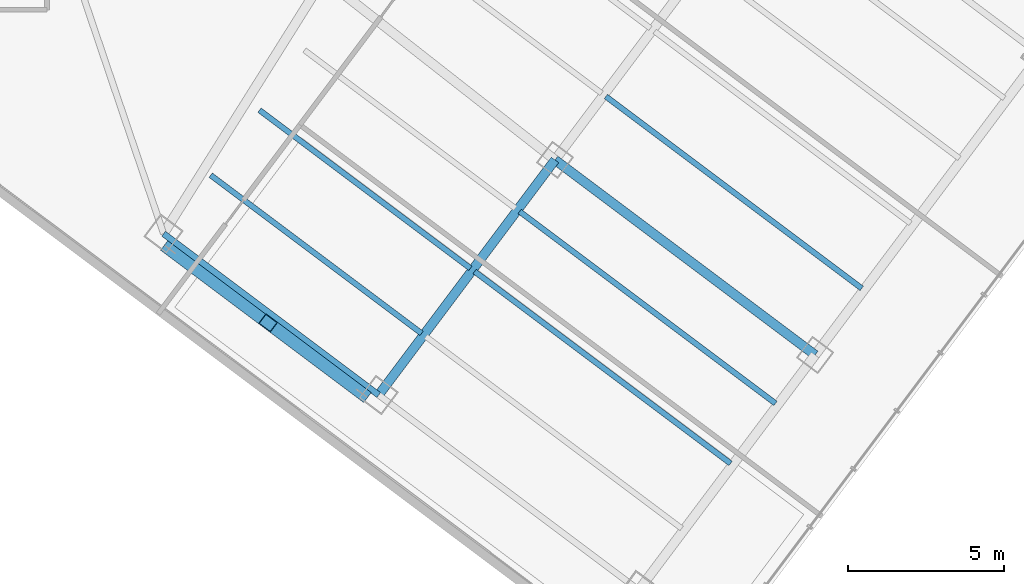
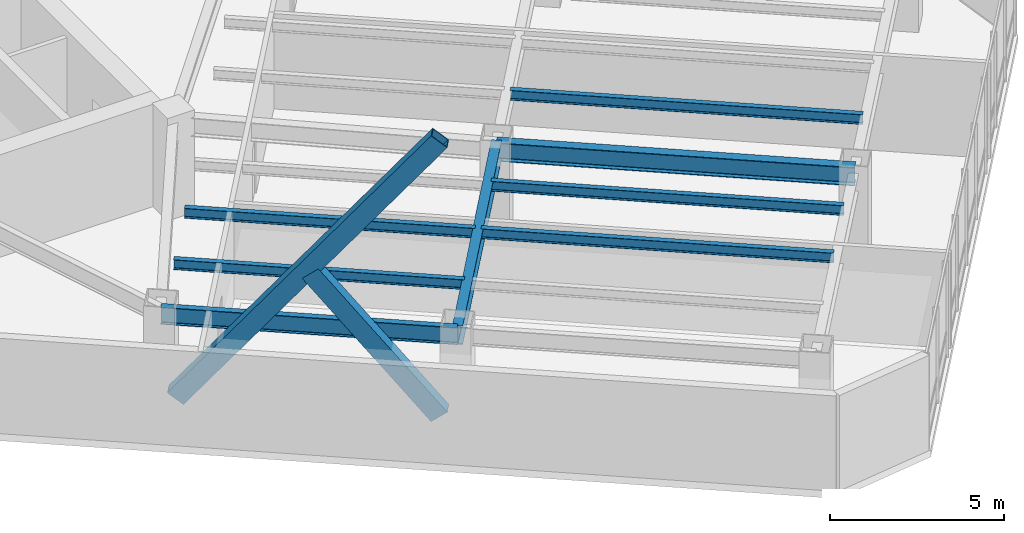
# One storey, part 7 of 29: 8 beams, 2 members.
"""IFC4 building model written with IfcOpenShell, lengths in metres."""

import ifcopenshell
import ifcopenshell.guid

model = None  # the IFC model being written
_history = None  # IfcOwnerHistory: only IFC2X3 demands one
_inside = {}  # id of a spatial element -> (the spatial element, [elements in it])
_under = {}  # id of a project, library or spatial element -> (it, [spatial elements below it])
_declared = {}  # id of a project -> (the project, [libraries it declares])
_typed = {}  # id of a type object -> (the type object, [elements of that type])
_made_of = {}  # id of a material, layer set ... -> (it, [elements and type objects made of it])


def new_model(schema):
    """Start an empty IFC model of exactly this schema.

    Asked for "IFC4X3", IfcOpenShell would pick the latest addendum, in which some entities
    have other attributes; the version numbers below select the first issue.
    IFC2X3 requires an IfcOwnerHistory on every rooted entity: one is made here for all.
    """
    global model, _history
    if schema == "IFC4X3":
        model = ifcopenshell.file(schema_version=(4, 3, 0, 0))
    else:
        model = ifcopenshell.file(schema=schema)
    _inside.clear()
    _under.clear()
    _declared.clear()
    _typed.clear()
    _made_of.clear()
    _history = None
    if model.schema == "IFC2X3":
        org = make("IfcOrganization", Name="unknown")
        user = make(
            "IfcPersonAndOrganization",
            ThePerson=make("IfcPerson", FamilyName="unknown"),
            TheOrganization=org,
        )
        app = make(
            "IfcApplication",
            ApplicationDeveloper=org,
            Version="unknown",
            ApplicationFullName="unknown",
            ApplicationIdentifier="unknown",
        )
        _history = make(
            "IfcOwnerHistory",
            OwningUser=user,
            OwningApplication=app,
            ChangeAction="ADDED",
            CreationDate=0,
        )
    return model


def make(cls, **values):
    """One entity of the class cls with the attributes given. An attribute that is None is left unset."""
    return model.create_entity(
        cls, **{name: value for name, value in values.items() if value is not None}
    )


def rooted(cls, **values):
    """An entity with a GlobalId (a new one), such as an element, a storey or a relation."""
    return make(cls, GlobalId=ifcopenshell.guid.new(), OwnerHistory=_history, **values)


def si_unit(unit_type, name, prefix=None):
    """IfcSIUnit, for example si_unit("LENGTHUNIT", "METRE", prefix="MILLI")."""
    return make("IfcSIUnit", UnitType=unit_type, Prefix=prefix, Name=name)


def assignment(units):
    """IfcUnitAssignment: the units of a project."""
    return None if units is None else make("IfcUnitAssignment", Units=units)


def point(xyz):
    """IfcCartesianPoint."""
    return None if xyz is None else make("IfcCartesianPoint", Coordinates=xyz)


def direction(xyz):
    """IfcDirection."""
    return None if xyz is None else make("IfcDirection", DirectionRatios=xyz)


def frame(location, z_axis=None, x_axis=None):
    """IfcAxis2Placement3D, a coordinate frame: its origin and axes. An axis left out is left unset."""
    return make(
        "IfcAxis2Placement3D",
        Location=point(location),
        Axis=direction(z_axis),
        RefDirection=direction(x_axis),
    )


def frame_2d(location, x_axis=None):
    """IfcAxis2Placement2D, a coordinate frame in the plane: its origin and x axis."""
    return make(
        "IfcAxis2Placement2D", Location=point(location), RefDirection=direction(x_axis)
    )


def origin():
    """The frame at (0, 0, 0) with its axes left unset."""
    return frame((0.0, 0.0, 0.0))


def origin_2d():
    """The frame at (0, 0) in the plane with its x axis left unset."""
    return frame_2d((0.0, 0.0))


def place(relative_to, where):
    """IfcLocalPlacement: puts the frame where relative to a parent placement (None: the world)."""
    return make(
        "IfcLocalPlacement", PlacementRelTo=relative_to, RelativePlacement=where
    )


def context(
    kind, dimensions, precision=None, world=None, true_north=None, identifier=None
):
    """IfcGeometricRepresentationContext, for example the 3D "Model" context."""
    return make(
        "IfcGeometricRepresentationContext",
        ContextIdentifier=identifier,
        ContextType=kind,
        CoordinateSpaceDimension=dimensions,
        Precision=precision,
        WorldCoordinateSystem=world,
        TrueNorth=true_north,
    )


def subcontext(parent, identifier, kind, view, scale=None):
    """IfcGeometricRepresentationSubContext, for example "Body" below "Model"."""
    return make(
        "IfcGeometricRepresentationSubContext",
        ContextIdentifier=identifier,
        ContextType=kind,
        ParentContext=parent,
        TargetScale=scale,
        TargetView=view,
    )


def project(units=None, contexts=None):
    """IfcProject with its units and contexts."""
    return rooted(
        "IfcProject",
        Name="project",
        RepresentationContexts=contexts,
        UnitsInContext=assignment(units),
    )


def spatial(cls, under=None, at=None, **own):
    """A site, building, storey or space (cls), placed at a placement, below another one or the project."""
    s = rooted(cls, ObjectPlacement=at, **own)
    if under is not None:
        _under.setdefault(under.id(), (under, []))[1].append(s)
    return s


def profile(cls, at=None, kind="AREA", **sizes):
    """A parametric profile (cls). Its sizes go by their IFC names, for example OverallWidth=200.0."""
    return make(cls, ProfileType=kind, Position=at, **sizes)


def hollow_rectangle(**sizes):
    """IfcRectangleHollowProfileDef."""
    return profile("IfcRectangleHollowProfileDef", **sizes)


def i_section(**sizes):
    """IfcIShapeProfileDef."""
    return profile("IfcIShapeProfileDef", **sizes)


def extrude(swept, where, along, depth):
    """IfcExtrudedAreaSolid: the profile swept, set in the frame where, extruded along a direction by depth."""
    return make(
        "IfcExtrudedAreaSolid",
        SweptArea=swept,
        Position=where,
        ExtrudedDirection=direction(along),
        Depth=depth,
    )


def shape(context_of_items, identifier, shape_type, items):
    """IfcShapeRepresentation: the items that make up one representation, for example the "Body"."""
    return make(
        "IfcShapeRepresentation",
        ContextOfItems=context_of_items,
        RepresentationIdentifier=identifier,
        RepresentationType=shape_type,
        Items=items,
    )


def material(Name=None, Category=None):
    """IfcMaterial."""
    return make("IfcMaterial", Name=Name, Category=Category)


def material_profile(
    of_material, cross_section, Name=None, Category=None, Priority=None
):
    """IfcMaterialProfile: a cross section and its material."""
    return make(
        "IfcMaterialProfile",
        Name=Name,
        Material=of_material,
        Profile=cross_section,
        Priority=Priority,
        Category=Category,
    )


def profile_set(profiles, Name=None, composite=None):
    """IfcMaterialProfileSet."""
    return make(
        "IfcMaterialProfileSet",
        Name=Name,
        MaterialProfiles=profiles,
        CompositeProfile=composite,
    )


def made_of(thing, what):
    """Note that an element or type object is made of a material, layer set ...; save() writes the relation."""
    if what is not None:
        _made_of.setdefault(what.id(), (what, []))[1].append(thing)
    return thing


def type_object(cls, material=None, **own):
    """A type object (cls), such as IfcWallType, which elements share."""
    return made_of(rooted(cls, **own), material)


def element(
    cls,
    number,
    at=None,
    inside=None,
    cuts=None,
    type_object=None,
    material=None,
    context=None,
    identifier="Body",
    shape_type=None,
    held_by="IfcProductDefinitionShape",
    body=None,
    shapes=None,
    **own,
):
    """One element of the class cls, such as IfcWall. Its Tag is "e" and its number.

    at: its placement. inside: the storey or other place that contains it. cuts: it is an
    opening in that element (IfcRelVoidsElement). A single representation is given by context,
    identifier, shape_type and body (its items); several are given by shapes. held_by: the class
    of the entity that holds the representations. save() writes the other relations.
    """
    e = rooted(cls, Tag="e%d" % number, ObjectPlacement=at, **own)
    if body is not None:
        shapes = [shape(context, identifier, shape_type, body)]
    if shapes is not None:
        e.Representation = make(held_by, Representations=shapes)
    if inside is not None:
        _inside.setdefault(inside.id(), (inside, []))[1].append(e)
    if cuts is not None:
        rooted(
            "IfcRelVoidsElement", RelatingBuildingElement=cuts, RelatedOpeningElement=e
        )
    if type_object is not None:
        _typed.setdefault(type_object.id(), (type_object, []))[1].append(e)
    return made_of(e, material)


def aggregate(whole, parts):
    """IfcRelAggregates: a whole, such as a stair, and the parts it consists of."""
    return rooted("IfcRelAggregates", RelatingObject=whole, RelatedObjects=parts)


def save(model, path):
    """Write the relations noted so far, then the file.

    IfcRelAggregates (storeys below a building ...), IfcRelContainedInSpatialStructure (elements
    in a storey), IfcRelDefinesByType, IfcRelAssociatesMaterial and IfcRelDeclares: one each for
    every whole, place, type object, material and project.
    """
    for whole, parts in _under.values():
        aggregate(whole, parts)
    for where, things in _inside.values():
        rooted(
            "IfcRelContainedInSpatialStructure",
            RelatedElements=things,
            RelatingStructure=where,
        )
    for kind, things in _typed.values():
        rooted("IfcRelDefinesByType", RelatedObjects=things, RelatingType=kind)
    for what, things in _made_of.values():
        rooted("IfcRelAssociatesMaterial", RelatedObjects=things, RelatingMaterial=what)
    for by, libraries in _declared.values():
        rooted("IfcRelDeclares", RelatingContext=by, RelatedDefinitions=libraries)
    model.write(path)


model = new_model("IFC4")

# Units and contexts
model_context = context("Model", 3, precision=1e-05, world=origin(), true_north=direction((0.0, 1.0)))
body_context = subcontext(model_context, "Body", "Model", "MODEL_VIEW")
ifc_project = project(units=[si_unit("LENGTHUNIT", "METRE"), si_unit("AREAUNIT", "SQUARE_METRE"), si_unit("VOLUMEUNIT", "CUBIC_METRE"), si_unit("PLANEANGLEUNIT", "RADIAN"), si_unit("MASSUNIT", "GRAM", prefix="KILO")], contexts=[model_context])

# Site, building, storey
site_placement = place(None, origin())
site = spatial("IfcSite", under=ifc_project, at=site_placement, CompositionType="ELEMENT")
building_placement = place(site_placement, origin())
building = spatial("IfcBuilding", under=site, at=building_placement, Name="Hatsunagi Terrace Concourse", CompositionType="ELEMENT")
storey_placement = place(building_placement, frame((0.0, 0.0, 108.449951171875)))
storey = spatial("IfcBuildingStorey", under=building, at=storey_placement, Name="L28", CompositionType="ELEMENT", Elevation=108.449951171875)

# Beams
ifc_material_1 = material(Name="Steel SN490B", Category="steel")
ifc_material_profile_1 = material_profile(ifc_material_1, i_section(OverallWidth=0.175048828125, OverallDepth=0.35009765625, WebThickness=0.007080078125, FlangeThickness=0.010986328125, FilletRadius=0.012939453125, at=origin_2d()), Name="H-350x175x7x11")
ifc_profile_set_1 = profile_set([ifc_material_profile_1], Name="Steel SN490B")
beam_type_1 = type_object("IfcBeamType", Name="HotelJoist_H_350x175", PredefinedType="JOIST", material=ifc_profile_set_1)
for number, where, z_axis, x_axis, name in (
    (1, (40.18798828125, 17.908935546875, 3.175048828125), (0.800003475366, -0.59999536615, 0.0), (0.59999536615, 0.800003475366, 0.0), "Beam J-02 J-L28-SE-2-46"),
    (2, (41.748046875, 19.989013671875, 3.175048828125), (0.799989573921, -0.600013901187, 0.0), (0.600013901187, 0.799989573921, 0.0), "Beam J-02 J-L28-SE-2-72"),
):
    element("IfcBeam", number, at=place(storey_placement, frame(where, z_axis=z_axis, x_axis=x_axis)), inside=storey, type_object=beam_type_1, Name=name, PredefinedType="JOIST", context=body_context, shape_type="SweptSolid", body=[
        extrude(i_section(OverallWidth=0.175048828125, OverallDepth=0.35009765625, WebThickness=0.007080078125, FlangeThickness=0.010986328125, FilletRadius=0.012939453125, at=origin_2d()), origin(), (0.0, 0.0, 1.0), 8.429931640625),
    ])
beam_1_placement = place(storey_placement, frame((48.6279296875, 14.8291015625, 3.175048828125), z_axis=(0.799994272423, -0.600007636694, 0.0), x_axis=(0.600007636694, 0.799994272423, 0.0)))
element("IfcBeam", 3, at=beam_1_placement, inside=storey, type_object=beam_type_1, Name="Beam J-02 J-L28-SE-3-72", PredefinedType="JOIST", context=body_context, shape_type="SweptSolid", body=[
    extrude(i_section(OverallWidth=0.175048828125, OverallDepth=0.35009765625, WebThickness=0.007080078125, FlangeThickness=0.010986328125, FilletRadius=0.012939453125, at=origin_2d()), origin(), (0.0, 0.0, 1.0), 10.230224609375),
])
beam_2_placement = place(storey_placement, frame((50.068115234375, 16.7490234375, 3.175048828125), z_axis=(0.799997136125, -0.600003818481, 0.0), x_axis=(0.600003818481, 0.799997136125, 0.0)))
element("IfcBeam", 4, at=beam_2_placement, inside=storey, type_object=beam_type_1, Name="Beam J-02 J-L28-SE-3-96", PredefinedType="JOIST", context=body_context, shape_type="SweptSolid", body=[
    extrude(i_section(OverallWidth=0.175048828125, OverallDepth=0.35009765625, WebThickness=0.007080078125, FlangeThickness=0.010986328125, FilletRadius=0.012939453125, at=origin_2d()), origin(), (0.0, 0.0, 1.0), 10.229736328125),
])
beam_3_placement = place(storey_placement, frame((52.827880859375, 20.428955078125, 3.175048828125), z_axis=(0.800005727586, -0.599992363142, 0.0), x_axis=(0.599992363142, 0.800005727586, 0.0)))
element("IfcBeam", 5, at=beam_3_placement, inside=storey, type_object=beam_type_1, Name="Beam J-02 J-L28-SE-3-142", PredefinedType="JOIST", context=body_context, shape_type="SweptSolid", body=[
    extrude(i_section(OverallWidth=0.175048828125, OverallDepth=0.35009765625, WebThickness=0.007080078125, FlangeThickness=0.010986328125, FilletRadius=0.012939453125, at=origin_2d()), origin(), (0.0, 0.0, 1.0), 10.22998046875),
])
ifc_material_2 = material(Name="Steel SN490B", Category="steel")
ifc_material_profile_2 = material_profile(ifc_material_2, i_section(OverallWidth=0.300048828125, OverallDepth=0.64990234375, WebThickness=0.012939453125, FlangeThickness=0.02197265625, FilletRadius=0.01806640625, at=origin_2d()), Name="H-650x300x13x22")
ifc_profile_set_2 = profile_set([ifc_material_profile_2], Name="Steel SN490B")
beam_type_2 = type_object("IfcBeamType", Name="OfficeLowGirder_H_650x300", PredefinedType="BEAM", material=ifc_profile_set_2)
beam_4_placement = place(storey_placement, frame((45.56005859375, 10.8798828125, 3.025146484375), z_axis=(0.599991688754, 0.800006233367, 0.0), x_axis=(-0.800006233367, 0.599991688754, 0.0)))
element("IfcBeam", 6, at=beam_4_placement, inside=storey, type_object=beam_type_2, Name="Beam G-05 BM-L28-SET-2A", PredefinedType="BEAM", context=body_context, shape_type="SweptSolid", body=[
    extrude(i_section(OverallWidth=0.300048828125, OverallDepth=0.64990234375, WebThickness=0.012939453125, FlangeThickness=0.02197265625, FilletRadius=0.01806640625, at=origin_2d()), origin(), (0.0, 0.0, 1.0), 9.39990234375),
])
beam_5_placement = place(storey_placement, frame((51.199951171875, 18.39990234375, 3.025146484375), z_axis=(0.800002816985, -0.599996244001, 0.0), x_axis=(0.599996244001, 0.800002816985, 0.0)))
element("IfcBeam", 7, at=beam_5_placement, inside=storey, type_object=beam_type_2, Name="Beam G-05 BM-L28-SE-M3", PredefinedType="BEAM", context=body_context, shape_type="SweptSolid", body=[
    extrude(i_section(OverallWidth=0.300048828125, OverallDepth=0.64990234375, WebThickness=0.012939453125, FlangeThickness=0.02197265625, FilletRadius=0.01806640625, at=origin_2d()), origin(), (0.0, 0.0, 1.0), 10.400146484375),
])
ifc_material_3 = material(Name="Steel SN490B", Category="steel")
ifc_material_profile_3 = material_profile(ifc_material_3, i_section(OverallWidth=0.199951171875, OverallDepth=0.60009765625, WebThickness=0.010986328125, FlangeThickness=0.01708984375, FilletRadius=0.01806640625, at=origin_2d()), Name="H-600x200x11x17")
ifc_profile_set_3 = profile_set([ifc_material_profile_3], Name="Steel SN490B")
beam_type_3 = type_object("IfcBeamType", Name="PerimeterSpandrel_H_600x200", PredefinedType="SPANDREL", material=ifc_profile_set_3)
beam_6_placement = place(storey_placement, frame((38.679931640625, 16.0400390625, 3.050048828125), z_axis=(0.799996593451, -0.600004542038, 0.0), x_axis=(0.600004542038, 0.799996593451, 0.0)))
element("IfcBeam", 8, at=beam_6_placement, inside=storey, type_object=beam_type_3, Name="Beam SP-01 BM-L28-SE-SW2", PredefinedType="SPANDREL", context=body_context, shape_type="SweptSolid", body=[
    extrude(i_section(OverallWidth=0.199951171875, OverallDepth=0.60009765625, WebThickness=0.010986328125, FlangeThickness=0.01708984375, FilletRadius=0.01806640625, at=origin_2d()), origin(), (0.0, 0.0, 1.0), 8.60009765625),
])

# Members
ifc_material_4 = material(Name="Steel SN490B", Category="steel")
ifc_material_profile_4 = material_profile(ifc_material_4, hollow_rectangle(XDim=0.39990234375, YDim=0.60009765625, WallThickness=0.02490234375, at=origin_2d()), Name="RHS-600x400x25")
ifc_profile_set_4 = profile_set([ifc_material_profile_4], Name="Steel SN490B")
member_type = type_object("IfcMemberType", Name="PerimeterXBrace_Mid_RHS_600x400x25", PredefinedType="BRACE", material=ifc_profile_set_4)
member_1_placement = place(storey_placement, frame((38.89208984375, 15.531005859375, 0.43994140625), z_axis=(0.496331966164, -0.372263824784, 0.784266679211), x_axis=(0.600015318615, 0.799988510809, 0.0)))
element("IfcMember", 9, at=member_1_placement, inside=storey, type_object=member_type, Name="Perimeter X-Brace XB-02 XB-L28-SEA", PredefinedType="BRACE", context=body_context, shape_type="SweptSolid", body=[
    extrude(hollow_rectangle(XDim=0.39990234375, YDim=0.60009765625, WallThickness=0.02490234375, at=origin_2d()), origin(), (0.0, 0.0, 1.0), 12.330322265625),
])
member_2_placement = place(storey_placement, frame((42.02099609375, 13.18408203125, 5.1650390625), z_axis=(0.496401477107, -0.372290978015, -0.784209794133), x_axis=(0.59998955172, 0.800007836104, 0.0)))
element("IfcMember", 10, at=member_2_placement, inside=storey, type_object=member_type, Name="Perimeter X-Brace Split Lower XB-02 XB-L28-SEB2", PredefinedType="BRACE", context=body_context, shape_type="SweptSolid", body=[
    extrude(hollow_rectangle(XDim=0.39990234375, YDim=0.60009765625, WallThickness=0.02490234375, at=origin_2d()), origin(), (0.0, 0.0, 1.0), 6.025390625),
])

save(model, "model.ifc")
